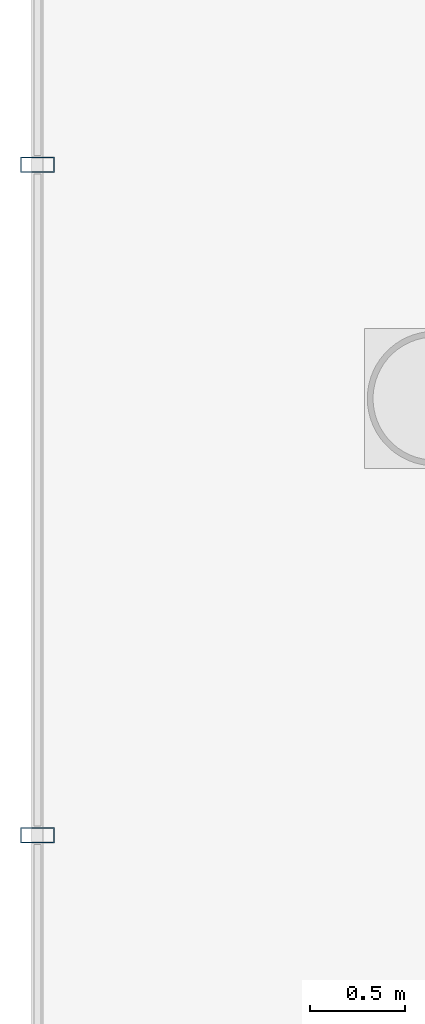
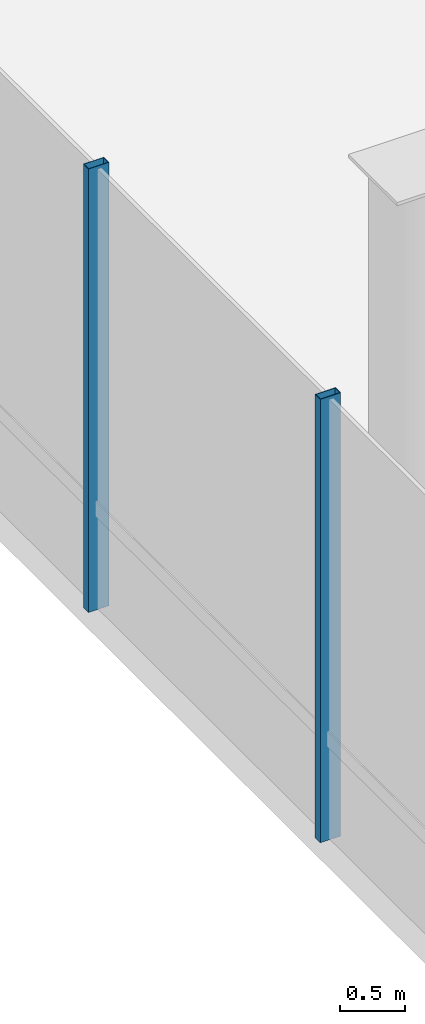
# One storey, part 6 of 43: 2 members, 1 element without a shape of its own.
"""IFC4 building model written with IfcOpenShell, lengths in metres."""

from ifc_helpers import new_model, si_unit, direction, frame, origin, origin_2d, place, context, subcontext, project, spatial, hollow_rectangle, extrude, material, layer, layer_set, material_profile, profile_set, type_object, element, aggregate, save


model = new_model("IFC4")

# Units and contexts
model_context = context("Model", 3, precision=1e-05, world=origin(), true_north=direction((0.0, 1.0)))
body_context = subcontext(model_context, "Body", "Model", "MODEL_VIEW")
ifc_project = project(units=[si_unit("LENGTHUNIT", "METRE"), si_unit("AREAUNIT", "SQUARE_METRE"), si_unit("VOLUMEUNIT", "CUBIC_METRE"), si_unit("PLANEANGLEUNIT", "RADIAN"), si_unit("MASSUNIT", "GRAM", prefix="KILO")], contexts=[model_context])

# Site, building, storey
site_placement = place(None, origin())
site = spatial("IfcSite", under=ifc_project, at=site_placement, CompositionType="ELEMENT")
building_placement = place(site_placement, origin())
building = spatial("IfcBuilding", under=site, at=building_placement, Name="Zarrinselat Tower", CompositionType="ELEMENT")
storey_placement = place(building_placement, frame((0.0, 0.0, 5.10009765625)))
storey = spatial("IfcBuildingStorey", under=building, at=storey_placement, Name="L01", CompositionType="ELEMENT", Elevation=5.10009765625)

# Curtain wall, members
ifc_material_1 = material(Name="Extruded Aluminium Alloy EN AW-6063 T6", Category="aluminium")
ifc_layer = layer(ifc_material_1, 0.2099609375)
ifc_layer_set = layer_set([ifc_layer], Name="Extruded Aluminium Alloy EN AW-6063 T6")
curtain_wall_type = type_object("IfcCurtainWallType", Name="CWS-POD", PredefinedType="NOTDEFINED", material=ifc_layer_set)
curtain_wall_placement = place(storey_placement, origin())
curtain_wall = element("IfcCurtainWall", 1, at=curtain_wall_placement, inside=storey, type_object=curtain_wall_type, Name="L01 Unitised Curtain Wall CW-L01-F7", PredefinedType="NOTDEFINED")
ifc_material_2 = material(Name="Extruded Aluminium Alloy EN AW-6063 T6", Category="aluminium")
ifc_material_profile = material_profile(ifc_material_2, hollow_rectangle(XDim=0.080078125, YDim=0.179931640625, WallThickness=0.0048828125, at=origin_2d()), Name="RHS 180x80x5")
ifc_profile_set = profile_set([ifc_material_profile], Name="Extruded Aluminium Alloy EN AW-6063 T6")
member_type = type_object("IfcMemberType", Name="MEM-CW-MUL", PredefinedType="MULLION", material=ifc_profile_set)
member_1_placement = place(storey_placement, frame((-2.5, 19.636474609375, 0.0), z_axis=(0.0, 0.0, 1.0), x_axis=(0.0, -1.0, 0.0)))
member_1 = element("IfcMember", 2, at=member_1_placement, type_object=member_type, Name="CW-L01-F7 Mullion 8", PredefinedType="MULLION", context=body_context, shape_type="SweptSolid", body=[
    extrude(hollow_rectangle(XDim=0.080078125, YDim=0.179931640625, WallThickness=0.0048828125, at=origin_2d()), origin(), (0.0, 0.0, 1.0), 4.139892578125),
])
member_2_placement = place(storey_placement, frame((-2.5, 16.0908203125, 0.0), z_axis=(0.0, 0.0, 1.0), x_axis=(0.0, -1.0, 0.0)))
member_2 = element("IfcMember", 3, at=member_2_placement, type_object=member_type, Name="CW-L01-F7 Mullion 9", PredefinedType="MULLION", context=body_context, shape_type="SweptSolid", body=[
    extrude(hollow_rectangle(XDim=0.080078125, YDim=0.179931640625, WallThickness=0.0048828125, at=origin_2d()), origin(), (0.0, 0.0, 1.0), 4.139892578125),
])
aggregate(curtain_wall, [member_1, member_2])

save(model, "model.ifc")
